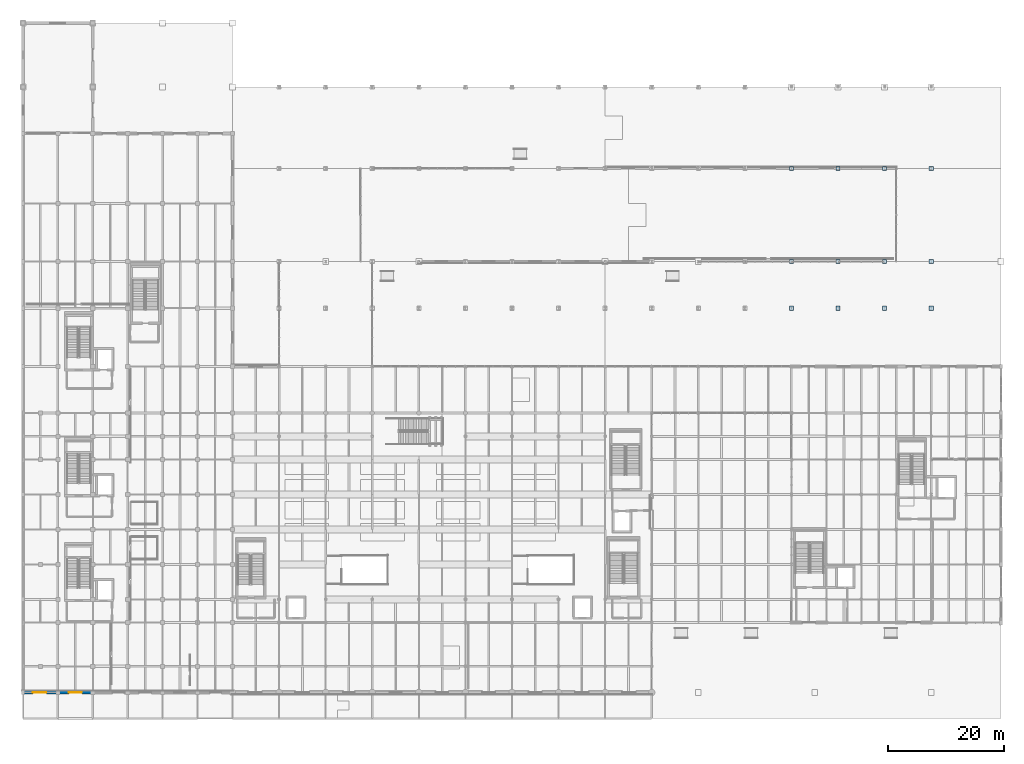
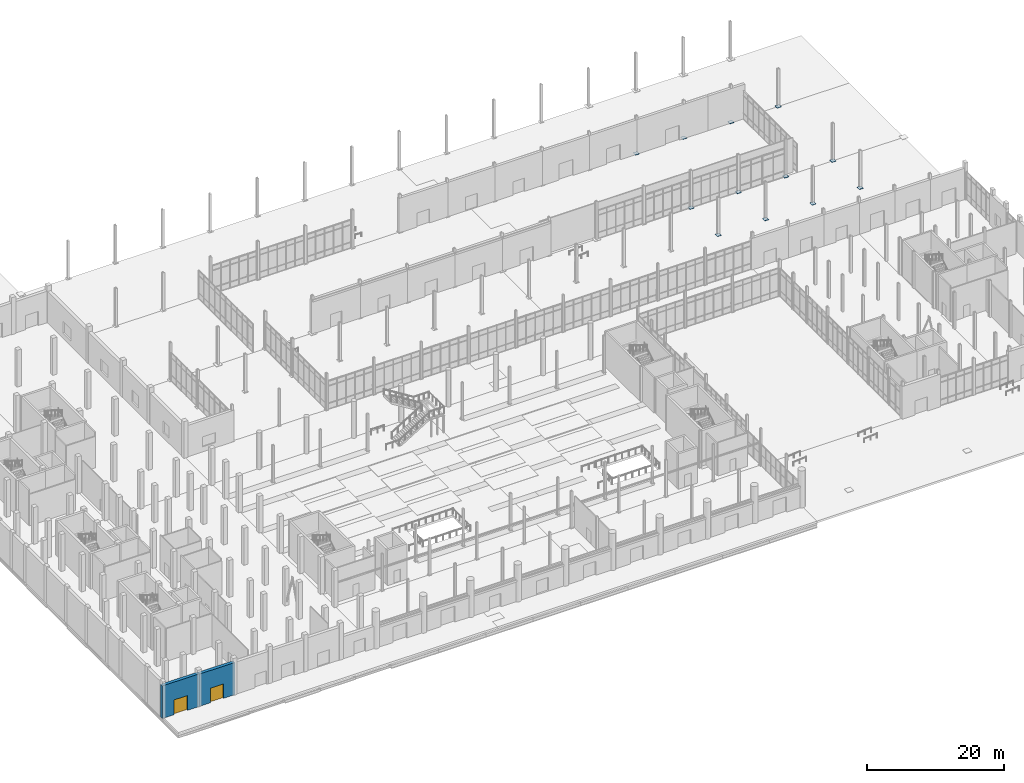
# One storey, part 117 of 140: 12 plates, 2 doors, 2 walls, 2 openings.
"""IFC4 building model written with IfcOpenShell, lengths in metres."""

from ifc_helpers import new_model, si_unit, direction, frame, frame_2d, origin, origin_2d, place, context, subcontext, project, spatial, rectangle, extrude, material, layer, layer_set, type_object, element, fill, save


model = new_model("IFC4")

# Units and contexts
model_context = context("Model", 3, precision=1e-05, world=origin(), true_north=direction((0.0, 1.0)))
body_context = subcontext(model_context, "Body", "Model", "MODEL_VIEW")
ifc_project = project(units=[si_unit("LENGTHUNIT", "METRE"), si_unit("AREAUNIT", "SQUARE_METRE"), si_unit("VOLUMEUNIT", "CUBIC_METRE"), si_unit("PLANEANGLEUNIT", "RADIAN"), si_unit("MASSUNIT", "GRAM", prefix="KILO")], contexts=[model_context])

# Site, building, storey
site_placement = place(None, origin())
site = spatial("IfcSite", under=ifc_project, at=site_placement, CompositionType="ELEMENT")
building_placement = place(site_placement, origin())
building = spatial("IfcBuilding", under=site, at=building_placement, Name="Verrall Gate Interchange", CompositionType="ELEMENT")
storey_placement = place(building_placement, origin())
storey = spatial("IfcBuildingStorey", under=building, at=storey_placement, Name="L01", CompositionType="ELEMENT", Elevation=0.0)

# Plates
ifc_material_1 = material(Name="Structural Steel CSA G40.21 350WT Cat 4", Category="steel")
ifc_layer_1 = layer(ifc_material_1, 0.0400390625)
ifc_layer_set_1 = layer_set([ifc_layer_1], Name="Structural Steel CSA G40.21 350WT Cat 4")
plate_type = type_object("IfcPlateType", Name="BP-01 Base Plate 40", PredefinedType="USERDEFINED", material=ifc_layer_set_1)
for number, where, z_axis, x_axis, name in (
    (1, (132.0, 66.0, 0.0), (0.0, 0.0, 1.0), (1.0, 0.0, 0.0), "Bus Column Base Plate 1556"),
    (2, (140.0, 66.0, 0.0), (0.0, 0.0, 1.0), (1.0, 0.0, 0.0), "Bus Column Base Plate 1558"),
    (3, (148.0, 66.0, 0.0), (0.0, 0.0, 1.0), (1.0, 0.0, 0.0), "Bus Column Base Plate 1560"),
    (4, (156.0, 66.0, 0.0), (0.0, 0.0, 1.0), (1.0, 0.0, 0.0), "Bus Column Base Plate 1562"),
    (5, (132.0, 74.0, 0.0), (0.0, 0.0, 1.0), (1.0, 0.0, 0.0), "Bus Column Base Plate 1574"),
    (6, (140.0, 74.0, 0.0), (0.0, 0.0, 1.0), (1.0, 0.0, 0.0), "Bus Column Base Plate 1576"),
    (7, (148.0, 74.0, 0.0), (0.0, 0.0, 1.0), (1.0, 0.0, 0.0), "Bus Column Base Plate 1578"),
    (8, (156.0, 74.0, 0.0), (0.0, 0.0, 1.0), (1.0, 0.0, 0.0), "Bus Column Base Plate 1580"),
    (9, (132.0, 90.0, 0.0), (0.0, 0.0, 1.0), (1.0, 0.0, 0.0), "Bus Column Base Plate 1604"),
    (10, (140.0, 90.0, 0.0), (0.0, 0.0, 1.0), (1.0, 0.0, 0.0), "Bus Column Base Plate 1606"),
    (11, (148.0, 90.0, 0.0), (0.0, 0.0, 1.0), (1.0, 0.0, 0.0), "Bus Column Base Plate 1608"),
    (12, (156.0, 90.0, 0.0), (0.0, 0.0, 1.0), (1.0, 0.0, 0.0), "Bus Column Base Plate 1610"),
):
    element("IfcPlate", number, at=place(storey_placement, frame(where, z_axis=z_axis, x_axis=x_axis)), inside=storey, type_object=plate_type, Name=name, ObjectType="BASE_PLATE", PredefinedType="USERDEFINED", context=body_context, shape_type="SweptSolid", body=[
        extrude(rectangle(XDim=0.699951171875, YDim=0.699951171875, at=origin_2d()), origin(), (0.0, 0.0, 1.0), 0.0400390625),
    ])

# Wall, opening, door
ifc_material_2 = material(Name="Prairie Charcoal Granite Plinth Rainscreen Assembly (U=0.18)", Category="masonry")
ifc_layer_2 = layer(ifc_material_2, 0.52001953125)
ifc_layer_set_2 = layer_set([ifc_layer_2], Name="Prairie Charcoal Granite Plinth Rainscreen Assembly (U=0.18)")
wall_type = type_object("IfcWallType", Name="EW-03 Exterior Solid Wall 520", PredefinedType="SOLIDWALL", material=ifc_layer_set_2)
wall_1_placement = place(storey_placement, frame((12.008056640625, 0.0, 0.0), z_axis=(0.0, 0.0, 1.0), x_axis=(-1.0, 0.0, 0.0)))
wall_1 = element("IfcWall", 13, at=wall_1_placement, inside=storey, type_object=wall_type, Name="L01 Classical Limestone Facade Wall 005", PredefinedType="SOLIDWALL", context=body_context, shape_type="SweptSolid", body=[
    extrude(rectangle(XDim=6.01611328125, YDim=0.52001953125, at=frame_2d((3.008056640625, 0.0))), origin(), (0.0, 0.0, 1.0), 5.760986328125),
])
opening_1_placement = place(wall_1_placement, frame((1.887939453125, 0.0, 0.0)))
opening_1 = element("IfcOpeningElement", 14, at=opening_1_placement, cuts=wall_1, Name="Opening E05", PredefinedType="OPENING", context=body_context, shape_type="SweptSolid", body=[
    extrude(rectangle(XDim=2.239990234375, YDim=2.60009765625, at=frame_2d((1.1201171875, 1.300048828125))), frame((0.0, 0.27490234375, 0.0), z_axis=(0.0, -1.0, 0.0), x_axis=(1.0, 0.0, 0.0)), (0.0, 0.0, 1.0), 0.5498046875),
])
ifc_material_3 = material(Name="Thermally Broken Bronze-Anodized Aluminium Entrance Assembly", Category="aluminium")
door_type_1 = type_object("IfcDoorType", Name="ED-05 Exterior Entrance Door 2240x2600", OperationType="NOTDEFINED", PredefinedType="DOOR", material=ifc_material_3)
door_1_placement = place(opening_1_placement, origin())
door_1 = element("IfcDoor", 15, at=door_1_placement, inside=storey, type_object=door_type_1, Name="Main Interchange Exit Portal E05", OperationType="DOUBLE_DOOR_SINGLE_SWING", OverallHeight=2.60009765625, OverallWidth=2.239990234375, PredefinedType="DOOR", context=body_context, shape_type="SweptSolid", body=[
    extrude(rectangle(XDim=2.239990234375, YDim=2.60009765625, at=frame_2d((1.1201171875, 1.300048828125))), frame((0.0, 0.02490234375, 0.0), z_axis=(0.0, -1.0, 0.0), x_axis=(1.0, 0.0, 0.0)), (0.0, 0.0, 1.0), 0.050048828125),
])
fill(opening_1, door_1)

wall_2_placement = place(storey_placement, frame((6.008056640625, 0.0, 0.0), z_axis=(0.0, 0.0, 1.0), x_axis=(-1.0, 0.0, 0.0)))
wall_2 = element("IfcWall", 16, at=wall_2_placement, inside=storey, type_object=wall_type, Name="L01 Classical Limestone Facade Wall 006", PredefinedType="SOLIDWALL", context=body_context, shape_type="SweptSolid", body=[
    extrude(rectangle(XDim=6.258056640625, YDim=0.52001953125, at=frame_2d((3.12890625, 0.0))), origin(), (0.0, 0.0, 1.0), 5.8369140625),
])
opening_2_placement = place(wall_2_placement, frame((1.97900390625, 0.0, 0.0)))
opening_2 = element("IfcOpeningElement", 17, at=opening_2_placement, cuts=wall_2, Name="Opening E06", PredefinedType="OPENING", context=body_context, shape_type="SweptSolid", body=[
    extrude(rectangle(XDim=2.300048828125, YDim=2.64990234375, at=frame_2d((1.14990234375, 1.324951171875))), frame((0.0, 0.27490234375, 0.0), z_axis=(0.0, -1.0, 0.0), x_axis=(1.0, 0.0, 0.0)), (0.0, 0.0, 1.0), 0.5498046875),
])
ifc_material_4 = material(Name="Thermally Broken Bronze-Anodized Aluminium Entrance Assembly", Category="aluminium")
door_type_2 = type_object("IfcDoorType", Name="ED-06 Exterior Entrance Door 2300x2650", OperationType="NOTDEFINED", PredefinedType="DOOR", material=ifc_material_4)
door_2_placement = place(opening_2_placement, origin())
door_2 = element("IfcDoor", 18, at=door_2_placement, inside=storey, type_object=door_type_2, Name="Main Interchange Exit Portal E06", OperationType="DOUBLE_DOOR_SINGLE_SWING", OverallHeight=2.64990234375, OverallWidth=2.300048828125, PredefinedType="DOOR", context=body_context, shape_type="SweptSolid", body=[
    extrude(rectangle(XDim=2.300048828125, YDim=2.64990234375, at=frame_2d((1.14990234375, 1.324951171875))), frame((0.0, 0.02490234375, 0.0), z_axis=(0.0, -1.0, 0.0), x_axis=(1.0, 0.0, 0.0)), (0.0, 0.0, 1.0), 0.050048828125),
])
fill(opening_2, door_2)

save(model, "model.ifc")
